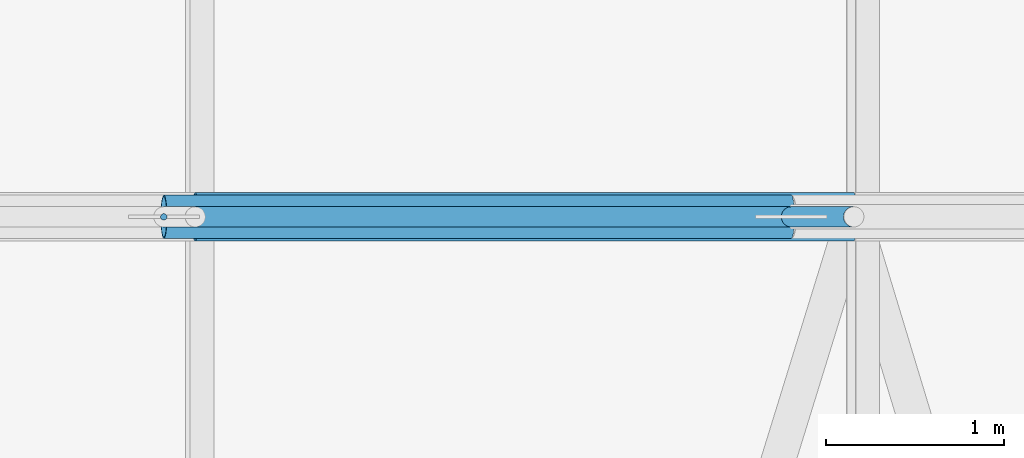
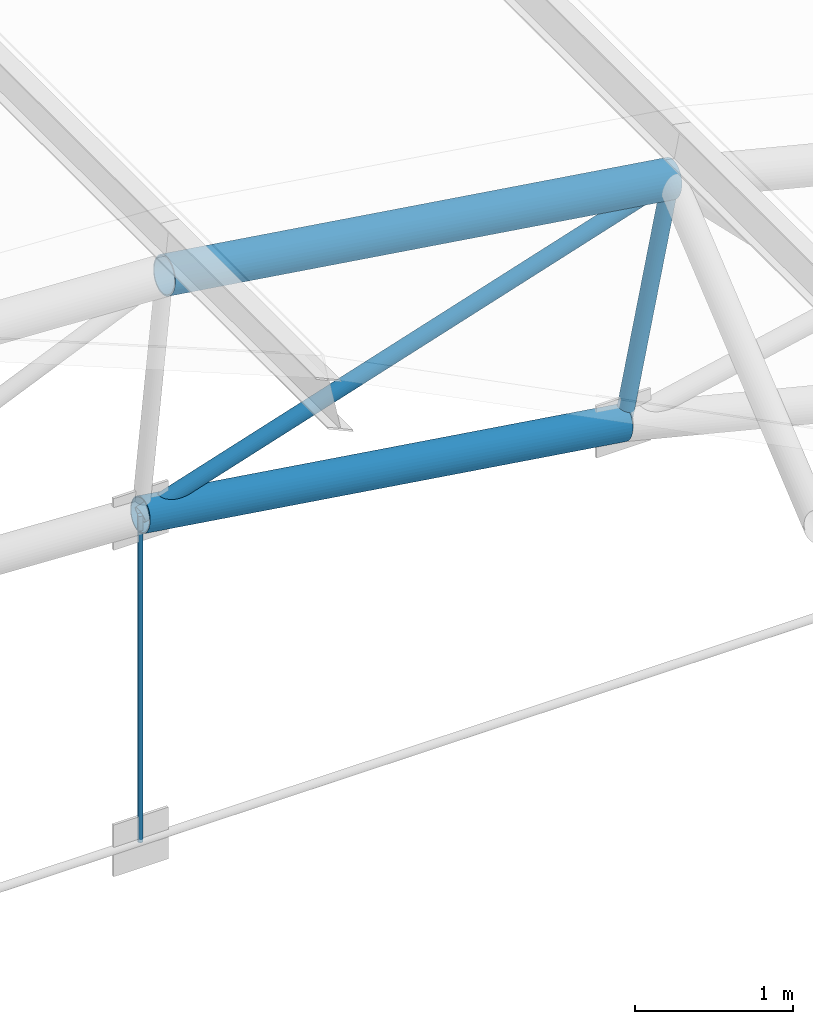
# One storey, part 215 of 321: 5 members.
"""IFC4 building model written with IfcOpenShell, lengths in metres."""

from ifc_helpers import new_model, si_unit, direction, frame, origin, origin_2d, place, context, subcontext, project, spatial, circle, hollow_circle, extrude, material, material_profile, profile_set, type_object, element, save


model = new_model("IFC4")

# Units and contexts
model_context = context("Model", 3, precision=1e-05, world=origin(), true_north=direction((0.0, 1.0)))
body_context = subcontext(model_context, "Body", "Model", "MODEL_VIEW")
ifc_project = project(units=[si_unit("LENGTHUNIT", "METRE"), si_unit("AREAUNIT", "SQUARE_METRE"), si_unit("VOLUMEUNIT", "CUBIC_METRE"), si_unit("PLANEANGLEUNIT", "RADIAN"), si_unit("MASSUNIT", "GRAM", prefix="KILO")], contexts=[model_context])

# Site, building, storey
site_placement = place(None, origin())
site = spatial("IfcSite", under=ifc_project, at=site_placement, CompositionType="ELEMENT")
building_placement = place(site_placement, origin())
building = spatial("IfcBuilding", under=site, at=building_placement, Name="Ravi Spectrum Wholesale Market", CompositionType="ELEMENT")
storey_placement = place(building_placement, frame((0.0, 0.0, 10.800048828125)))
storey = spatial("IfcBuildingStorey", under=building, at=storey_placement, Name="L02", CompositionType="ELEMENT", Elevation=10.800048828125)

# Members
ifc_material_1 = material(Name="Steel S355", Category="steel")
ifc_material_profile_1 = material_profile(ifc_material_1, hollow_circle(Radius=0.05712890625, WallThickness=0.00390625, at=origin_2d()))
ifc_profile_set_1 = profile_set([ifc_material_profile_1], Name="Steel S355")
member_type_1 = type_object("IfcMemberType", Name="CHS 114.3x4 brace", PredefinedType="BRACE", material=ifc_profile_set_1)
member_1_placement = place(storey_placement, frame((187.448486328125, 162.0, 3.767822265625), z_axis=(-0.952400500519, 0.0, -0.304849613108), x_axis=(0.0, -1.0, 0.0)))
element("IfcMember", 1, at=member_1_placement, inside=storey, type_object=member_type_1, Name="H3-MB-L02-115", PredefinedType="BRACE", context=body_context, shape_type="SweptSolid", body=[
    extrude(hollow_circle(Radius=0.05712890625, WallThickness=0.00390625, at=origin_2d()), origin(), (0.0, 0.0, 1.0), 4.076416015625),
])
ifc_material_2 = material(Name="Steel S355", Category="steel")
ifc_material_profile_2 = material_profile(ifc_material_2, hollow_circle(Radius=0.05712890625, WallThickness=0.00390625, at=origin_2d()))
ifc_profile_set_2 = profile_set([ifc_material_profile_2], Name="Steel S355")
member_type_2 = type_object("IfcMemberType", Name="CHS 114.3x4 post", PredefinedType="POST", material=ifc_profile_set_2)
member_2_placement = place(storey_placement, frame((187.448486328125, 162.0, 3.767822265625), z_axis=(-0.194759682352, 0.0, -0.980850990788), x_axis=(0.0, -1.0, 0.0)))
element("IfcMember", 2, at=member_2_placement, inside=storey, type_object=member_type_2, Name="H3-MB-L02-107", PredefinedType="POST", context=body_context, shape_type="SweptSolid", body=[
    extrude(hollow_circle(Radius=0.05712890625, WallThickness=0.00390625, at=origin_2d()), origin(), (0.0, 0.0, 1.0), 1.800048828125),
])
ifc_material_3 = material(Name="Steel S355", Category="steel")
ifc_material_profile_3 = material_profile(ifc_material_3, hollow_circle(Radius=0.122314453125, WallThickness=0.008056640625, at=origin_2d()))
ifc_profile_set_3 = profile_set([ifc_material_profile_3], Name="Steel S355")
member_type_3 = type_object("IfcMemberType", Name="CHS 244.5x8 chord", PredefinedType="CHORD", material=ifc_profile_set_3)
member_3_placement = place(storey_placement, frame((183.566162109375, 162.0, 2.525146484375), z_axis=(0.989214474115, 0.0, -0.146474312426), x_axis=(0.0, 1.0, 0.0)))
element("IfcMember", 3, at=member_3_placement, inside=storey, type_object=member_type_3, Name="H3-MB-L02-097", PredefinedType="CHORD", context=body_context, shape_type="SweptSolid", body=[
    extrude(hollow_circle(Radius=0.122314453125, WallThickness=0.008056640625, at=origin_2d()), origin(), (0.0, 0.0, 1.0), 3.5703125),
])
ifc_material_4 = material(Name="Steel S355", Category="steel")
ifc_material_profile_4 = material_profile(ifc_material_4, hollow_circle(Radius=0.136474609375, WallThickness=0.010009765625, at=origin_2d()))
ifc_profile_set_4 = profile_set([ifc_material_profile_4], Name="Steel S355")
member_type_4 = type_object("IfcMemberType", Name="CHS 273x10 chord", PredefinedType="CHORD", material=ifc_profile_set_4)
member_4_placement = place(storey_placement, frame((183.7421875, 162.0, 4.31640625), z_axis=(0.989222696265, 0.0, -0.146418773368), x_axis=(0.0, 1.0, 0.0)))
element("IfcMember", 4, at=member_4_placement, inside=storey, type_object=member_type_4, Name="H3-MB-L02-087", PredefinedType="CHORD", context=body_context, shape_type="SweptSolid", body=[
    extrude(hollow_circle(Radius=0.136474609375, WallThickness=0.010009765625, at=origin_2d()), origin(), (0.0, 0.0, 1.0), 3.74658203125),
])
ifc_material_5 = material(Name="Steel S355", Category="steel")
ifc_material_profile_5 = material_profile(ifc_material_5, circle(Radius=0.01806640625, at=origin_2d()))
ifc_profile_set_5 = profile_set([ifc_material_profile_5], Name="Steel S355")
member_type_5 = type_object("IfcMemberType", Name="ROD 36 hanger", PredefinedType="STRUT", material=ifc_profile_set_5)
member_5_placement = place(storey_placement, frame((183.566162109375, 162.0, 0.0), z_axis=(0.0, 0.0, 1.0), x_axis=(1.0, 0.0, 0.0)))
element("IfcMember", 5, at=member_5_placement, inside=storey, type_object=member_type_5, Name="H3-MB-L02-120", PredefinedType="STRUT", context=body_context, shape_type="SweptSolid", body=[
    extrude(circle(Radius=0.01806640625, at=origin_2d()), origin(), (0.0, 0.0, 1.0), 2.525146484375),
])

save(model, "model.ifc")
